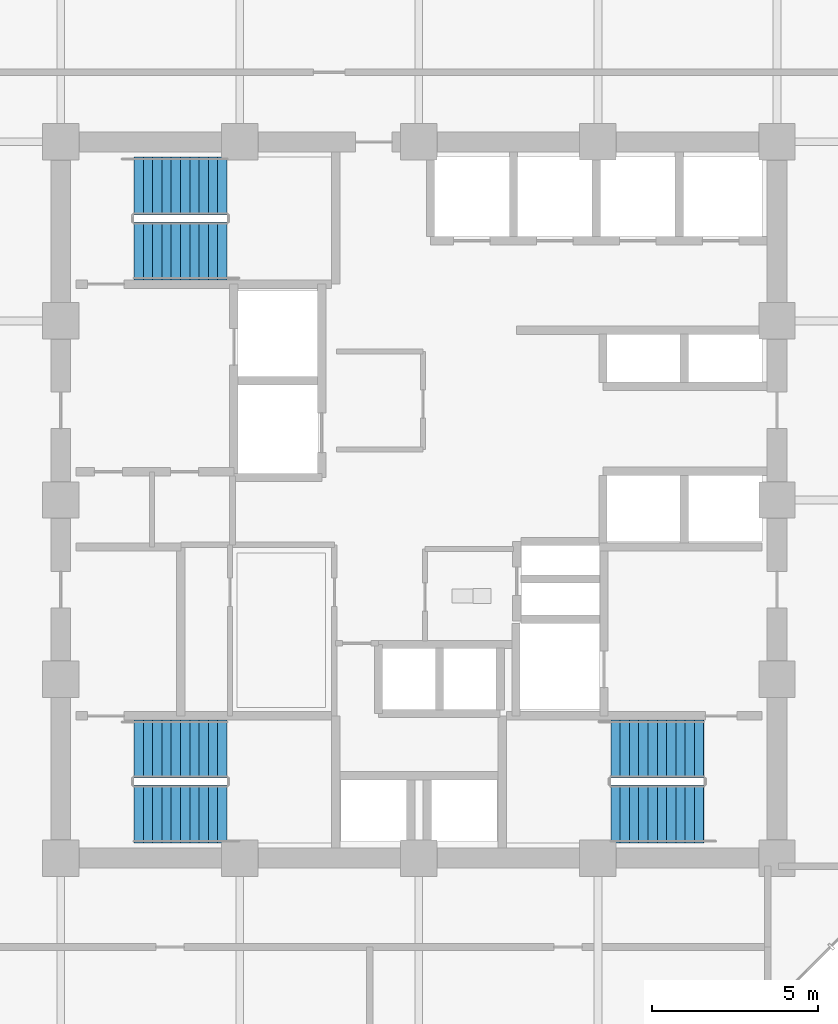
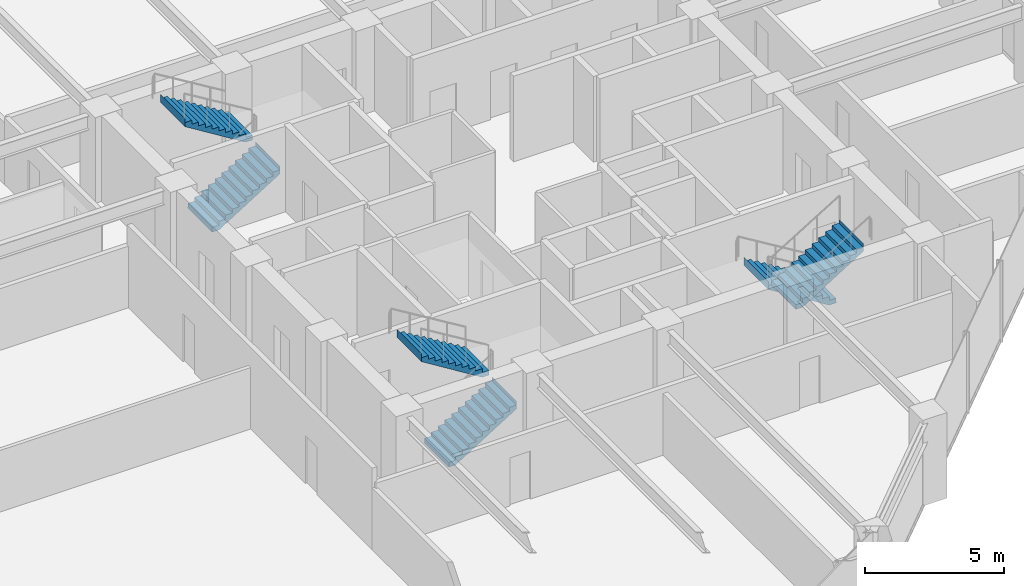
# One storey, part 25 of 29: 6 stair flights, 3 elements without a shape of their own.
"""IFC4 building model written with IfcOpenShell, lengths in metres."""

from ifc_helpers import new_model, si_unit, direction, frame, origin, place, context, subcontext, project, spatial, polyline, outline, extrude, material, type_object, element, aggregate, save


model = new_model("IFC4")

# Units and contexts
model_context = context("Model", 3, precision=1e-05, world=origin(), true_north=direction((0.0, 1.0)))
body_context = subcontext(model_context, "Body", "Model", "MODEL_VIEW")
ifc_project = project(units=[si_unit("LENGTHUNIT", "METRE"), si_unit("AREAUNIT", "SQUARE_METRE"), si_unit("VOLUMEUNIT", "CUBIC_METRE"), si_unit("PLANEANGLEUNIT", "RADIAN"), si_unit("MASSUNIT", "GRAM", prefix="KILO")], contexts=[model_context])

# Site, building, storey
site_placement = place(None, origin())
site = spatial("IfcSite", under=ifc_project, at=site_placement, CompositionType="ELEMENT")
building_placement = place(site_placement, origin())
building = spatial("IfcBuilding", under=site, at=building_placement, Name="Surkhivell Harbour Commons", CompositionType="ELEMENT")
storey_placement = place(building_placement, frame((0.0, 0.0, 154.5)))
storey = spatial("IfcBuildingStorey", under=building, at=storey_placement, Name="L40", CompositionType="ELEMENT", Elevation=154.5)

# Stair, stair flights
ifc_material = material(Name="Precast concrete C45/55", Category="concrete")
stair_type = type_object("IfcStairType", Name="STR-DL-375", PredefinedType="HALF_TURN_STAIR", material=ifc_material)
stair_1_placement = place(storey_placement, origin())
stair_1 = element("IfcStair", 1, at=stair_1_placement, inside=storey, type_object=stair_type, Name="L40 Core Exit Stair ST1", PredefinedType="HALF_TURN_STAIR")
stair_flight_type = type_object("IfcStairFlightType", Name="STF-DL-375", PredefinedType="STRAIGHT", material=ifc_material)
stair_flight_1_placement = place(storey_placement, frame((-8.590087890625, 7.514892578125, 0.0), z_axis=(0.0, 0.0, 1.0), x_axis=(1.0, 0.0, 0.0)))
stair_flight_1 = element("IfcStairFlight", 2, at=stair_flight_1_placement, type_object=stair_flight_type, Name="ST1 flight 1", NumberOfRisers=11, NumberOfTreads=10, PredefinedType="STRAIGHT", RiserHeight=0.170454545, TreadLength=0.28, context=body_context, shape_type="SweptSolid", body=[
    extrude(outline(polyline([(-0.0029296875, -0.034912109375), (-0.0029296875, 0.0), (0.0, 0.0), (0.0, 0.17041015625), (0.280029296875, 0.17041015625), (0.280029296875, 0.3408203125), (0.56005859375, 0.3408203125), (0.56005859375, 0.511474609375), (0.840087890625, 0.511474609375), (0.840087890625, 0.681884765625), (1.1201171875, 0.681884765625), (1.1201171875, 0.852294921875), (1.39990234375, 0.852294921875), (1.39990234375, 1.022705078125), (1.679931640625, 1.022705078125), (1.679931640625, 1.193115234375), (1.9599609375, 1.193115234375), (1.9599609375, 1.363525390625), (2.239990234375, 1.363525390625), (2.239990234375, 1.5341796875), (2.52001953125, 1.5341796875), (2.52001953125, 1.70458984375), (2.800048828125, 1.70458984375), (2.800048828125, 1.875), (2.802978515625, 1.875), (2.802978515625, 1.529052734375), (0.288330078125, -0.034912109375), (-0.0029296875, -0.034912109375)])), frame((0.0, 0.875, 0.0), z_axis=(0.0, -1.0, 0.0), x_axis=(1.0, 0.0, 0.0)), (0.0, 0.0, 1.0), 1.75),
])
stair_flight_2_placement = place(storey_placement, frame((-5.7900390625, 9.465087890625, 1.875), z_axis=(0.0, 0.0, 1.0), x_axis=(-1.0, 0.0, 0.0)))
stair_flight_2 = element("IfcStairFlight", 3, at=stair_flight_2_placement, type_object=stair_flight_type, Name="ST1 flight 2", NumberOfRisers=11, NumberOfTreads=10, PredefinedType="STRAIGHT", RiserHeight=0.170454545, TreadLength=0.28, context=body_context, shape_type="SweptSolid", body=[
    extrude(outline(polyline([(-0.0029296875, -0.034912109375), (-0.0029296875, 0.0), (0.0, 0.0), (0.0, 0.17041015625), (0.280029296875, 0.17041015625), (0.280029296875, 0.3408203125), (0.56005859375, 0.3408203125), (0.56005859375, 0.511474609375), (0.840087890625, 0.511474609375), (0.840087890625, 0.681884765625), (1.1201171875, 0.681884765625), (1.1201171875, 0.852294921875), (1.39990234375, 0.852294921875), (1.39990234375, 1.022705078125), (1.679931640625, 1.022705078125), (1.679931640625, 1.193115234375), (1.9599609375, 1.193115234375), (1.9599609375, 1.363525390625), (2.239990234375, 1.363525390625), (2.239990234375, 1.5341796875), (2.52001953125, 1.5341796875), (2.52001953125, 1.70458984375), (2.800048828125, 1.70458984375), (2.800048828125, 1.875), (2.802978515625, 1.875), (2.802978515625, 1.529052734375), (0.288330078125, -0.034912109375), (-0.0029296875, -0.034912109375)])), frame((0.0, 0.875, 0.0), z_axis=(0.0, -1.0, 0.0), x_axis=(1.0, 0.0, 0.0)), (0.0, 0.0, 1.0), 1.75),
])
aggregate(stair_1, [stair_flight_1, stair_flight_2])

stair_2_placement = place(storey_placement, origin())
stair_2 = element("IfcStair", 4, at=stair_2_placement, inside=storey, type_object=stair_type, Name="L40 Core Exit Stair ST2", PredefinedType="HALF_TURN_STAIR")
stair_flight_3_placement = place(storey_placement, frame((8.590087890625, -7.514892578125, 0.0), z_axis=(0.0, 0.0, 1.0), x_axis=(-1.0, 0.0, 0.0)))
stair_flight_3 = element("IfcStairFlight", 5, at=stair_flight_3_placement, type_object=stair_flight_type, Name="ST2 flight 1", NumberOfRisers=11, NumberOfTreads=10, PredefinedType="STRAIGHT", RiserHeight=0.170454545, TreadLength=0.28, context=body_context, shape_type="SweptSolid", body=[
    extrude(outline(polyline([(-0.0029296875, -0.034912109375), (-0.0029296875, 0.0), (0.0, 0.0), (0.0, 0.17041015625), (0.280029296875, 0.17041015625), (0.280029296875, 0.3408203125), (0.56005859375, 0.3408203125), (0.56005859375, 0.511474609375), (0.840087890625, 0.511474609375), (0.840087890625, 0.681884765625), (1.1201171875, 0.681884765625), (1.1201171875, 0.852294921875), (1.39990234375, 0.852294921875), (1.39990234375, 1.022705078125), (1.679931640625, 1.022705078125), (1.679931640625, 1.193115234375), (1.9599609375, 1.193115234375), (1.9599609375, 1.363525390625), (2.239990234375, 1.363525390625), (2.239990234375, 1.5341796875), (2.52001953125, 1.5341796875), (2.52001953125, 1.70458984375), (2.800048828125, 1.70458984375), (2.800048828125, 1.875), (2.802978515625, 1.875), (2.802978515625, 1.529052734375), (0.288330078125, -0.034912109375), (-0.0029296875, -0.034912109375)])), frame((0.0, 0.875, 0.0), z_axis=(0.0, -1.0, 0.0), x_axis=(1.0, 0.0, 0.0)), (0.0, 0.0, 1.0), 1.75),
])
stair_flight_4_placement = place(storey_placement, frame((5.7900390625, -9.465087890625, 1.875), z_axis=(0.0, 0.0, 1.0), x_axis=(1.0, 0.0, 0.0)))
stair_flight_4 = element("IfcStairFlight", 6, at=stair_flight_4_placement, type_object=stair_flight_type, Name="ST2 flight 2", NumberOfRisers=11, NumberOfTreads=10, PredefinedType="STRAIGHT", RiserHeight=0.170454545, TreadLength=0.28, context=body_context, shape_type="SweptSolid", body=[
    extrude(outline(polyline([(-0.0029296875, -0.034912109375), (-0.0029296875, 0.0), (0.0, 0.0), (0.0, 0.17041015625), (0.280029296875, 0.17041015625), (0.280029296875, 0.3408203125), (0.56005859375, 0.3408203125), (0.56005859375, 0.511474609375), (0.840087890625, 0.511474609375), (0.840087890625, 0.681884765625), (1.1201171875, 0.681884765625), (1.1201171875, 0.852294921875), (1.39990234375, 0.852294921875), (1.39990234375, 1.022705078125), (1.679931640625, 1.022705078125), (1.679931640625, 1.193115234375), (1.9599609375, 1.193115234375), (1.9599609375, 1.363525390625), (2.239990234375, 1.363525390625), (2.239990234375, 1.5341796875), (2.52001953125, 1.5341796875), (2.52001953125, 1.70458984375), (2.800048828125, 1.70458984375), (2.800048828125, 1.875), (2.802978515625, 1.875), (2.802978515625, 1.529052734375), (0.288330078125, -0.034912109375), (-0.0029296875, -0.034912109375)])), frame((0.0, 0.875, 0.0), z_axis=(0.0, -1.0, 0.0), x_axis=(1.0, 0.0, 0.0)), (0.0, 0.0, 1.0), 1.75),
])
aggregate(stair_2, [stair_flight_3, stair_flight_4])

stair_3_placement = place(storey_placement, origin())
stair_3 = element("IfcStair", 7, at=stair_3_placement, inside=storey, type_object=stair_type, Name="L40 Core Exit Stair ST3", PredefinedType="HALF_TURN_STAIR")
stair_flight_5_placement = place(storey_placement, frame((-8.590087890625, -9.465087890625, 0.0), z_axis=(0.0, 0.0, 1.0), x_axis=(1.0, 0.0, 0.0)))
stair_flight_5 = element("IfcStairFlight", 8, at=stair_flight_5_placement, type_object=stair_flight_type, Name="ST3 flight 1", NumberOfRisers=11, NumberOfTreads=10, PredefinedType="STRAIGHT", RiserHeight=0.170454545, TreadLength=0.28, context=body_context, shape_type="SweptSolid", body=[
    extrude(outline(polyline([(-0.0029296875, -0.034912109375), (-0.0029296875, 0.0), (0.0, 0.0), (0.0, 0.17041015625), (0.280029296875, 0.17041015625), (0.280029296875, 0.3408203125), (0.56005859375, 0.3408203125), (0.56005859375, 0.511474609375), (0.840087890625, 0.511474609375), (0.840087890625, 0.681884765625), (1.1201171875, 0.681884765625), (1.1201171875, 0.852294921875), (1.39990234375, 0.852294921875), (1.39990234375, 1.022705078125), (1.679931640625, 1.022705078125), (1.679931640625, 1.193115234375), (1.9599609375, 1.193115234375), (1.9599609375, 1.363525390625), (2.239990234375, 1.363525390625), (2.239990234375, 1.5341796875), (2.52001953125, 1.5341796875), (2.52001953125, 1.70458984375), (2.800048828125, 1.70458984375), (2.800048828125, 1.875), (2.802978515625, 1.875), (2.802978515625, 1.529052734375), (0.288330078125, -0.034912109375), (-0.0029296875, -0.034912109375)])), frame((0.0, 0.875, 0.0), z_axis=(0.0, -1.0, 0.0), x_axis=(1.0, 0.0, 0.0)), (0.0, 0.0, 1.0), 1.75),
])
stair_flight_6_placement = place(storey_placement, frame((-5.7900390625, -7.514892578125, 1.875), z_axis=(0.0, 0.0, 1.0), x_axis=(-1.0, 0.0, 0.0)))
stair_flight_6 = element("IfcStairFlight", 9, at=stair_flight_6_placement, type_object=stair_flight_type, Name="ST3 flight 2", NumberOfRisers=11, NumberOfTreads=10, PredefinedType="STRAIGHT", RiserHeight=0.170454545, TreadLength=0.28, context=body_context, shape_type="SweptSolid", body=[
    extrude(outline(polyline([(-0.0029296875, -0.034912109375), (-0.0029296875, 0.0), (0.0, 0.0), (0.0, 0.17041015625), (0.280029296875, 0.17041015625), (0.280029296875, 0.3408203125), (0.56005859375, 0.3408203125), (0.56005859375, 0.511474609375), (0.840087890625, 0.511474609375), (0.840087890625, 0.681884765625), (1.1201171875, 0.681884765625), (1.1201171875, 0.852294921875), (1.39990234375, 0.852294921875), (1.39990234375, 1.022705078125), (1.679931640625, 1.022705078125), (1.679931640625, 1.193115234375), (1.9599609375, 1.193115234375), (1.9599609375, 1.363525390625), (2.239990234375, 1.363525390625), (2.239990234375, 1.5341796875), (2.52001953125, 1.5341796875), (2.52001953125, 1.70458984375), (2.800048828125, 1.70458984375), (2.800048828125, 1.875), (2.802978515625, 1.875), (2.802978515625, 1.529052734375), (0.288330078125, -0.034912109375), (-0.0029296875, -0.034912109375)])), frame((0.0, 0.875, 0.0), z_axis=(0.0, -1.0, 0.0), x_axis=(1.0, 0.0, 0.0)), (0.0, 0.0, 1.0), 1.75),
])
aggregate(stair_3, [stair_flight_5, stair_flight_6])

save(model, "model.ifc")
